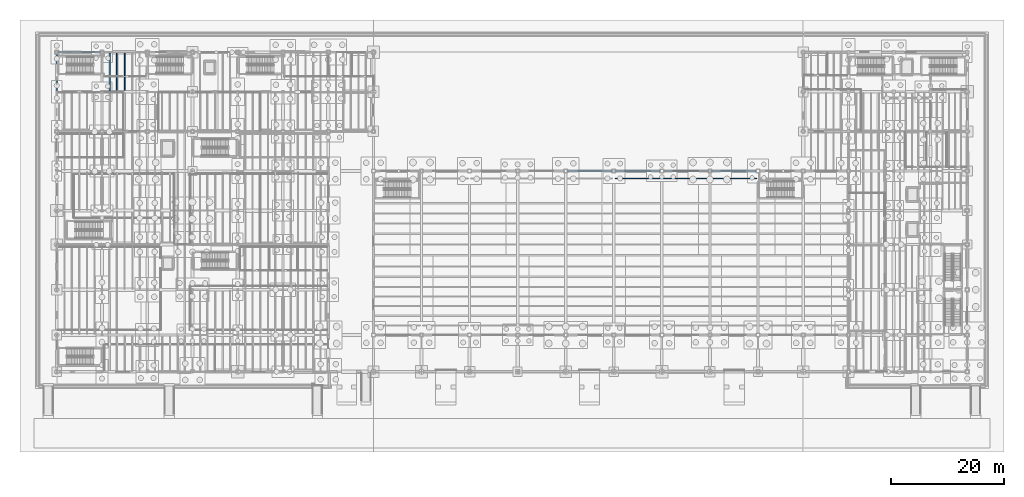
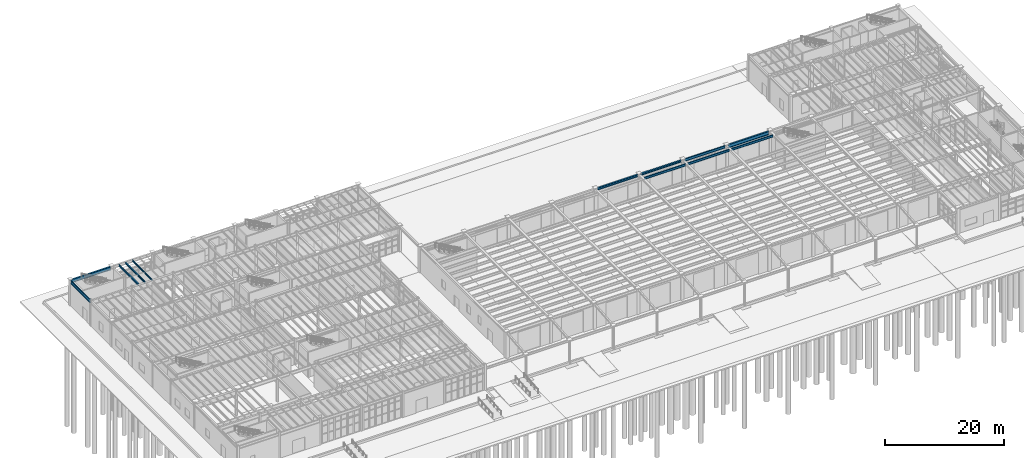
# One storey, part 32 of 86: 12 beams.
"""IFC4 building model written with IfcOpenShell, lengths in metres."""

from ifc_helpers import new_model, si_unit, direction, frame, origin, origin_2d, place, context, subcontext, project, spatial, i_section, extrude, material, material_profile, profile_set, type_object, element, save


model = new_model("IFC4")

# Units and contexts
model_context = context("Model", 3, precision=1e-05, world=origin(), true_north=direction((0.0, 1.0)))
body_context = subcontext(model_context, "Body", "Model", "MODEL_VIEW")
ifc_project = project(units=[si_unit("LENGTHUNIT", "METRE"), si_unit("AREAUNIT", "SQUARE_METRE"), si_unit("VOLUMEUNIT", "CUBIC_METRE"), si_unit("PLANEANGLEUNIT", "RADIAN"), si_unit("MASSUNIT", "GRAM", prefix="KILO"), si_unit("THERMODYNAMICTEMPERATUREUNIT", "KELVIN"), si_unit("POWERUNIT", "WATT")], contexts=[model_context])

# Site, building, storey
site_placement = place(None, origin())
site = spatial("IfcSite", under=ifc_project, at=site_placement, CompositionType="ELEMENT")
building_placement = place(site_placement, origin())
building = spatial("IfcBuilding", under=site, at=building_placement, Name="Zhenchuan Central Fire Station", CompositionType="ELEMENT")
storey_placement = place(building_placement, frame((0.0, 0.0, 0.449951171875)))
storey = spatial("IfcBuildingStorey", under=building, at=storey_placement, Name="L01", CompositionType="ELEMENT", Elevation=0.449951171875)

# Beams
ifc_material = material(Name="Steel Q355B", Category="steel")
ifc_material_profile_1 = material_profile(ifc_material, i_section(OverallWidth=0.300048828125, OverallDepth=0.389892578125, WebThickness=0.010009765625, FlangeThickness=0.01611328125, FilletRadius=0.02001953125, at=origin_2d()), Name="HM 390x300")
ifc_profile_set_1 = profile_set([ifc_material_profile_1], Name="Steel Q355B")
beam_type_1 = type_object("IfcBeamType", Name="BM-HM390-INT", PredefinedType="BEAM", material=ifc_profile_set_1)
beam_1_placement = place(storey_placement, frame((98.77490234375, 35.5, 5.005126953125), z_axis=(1.0, 0.0, 0.0), x_axis=(0.0, 1.0, 0.0)))
element("IfcBeam", 1, at=beam_1_placement, inside=storey, type_object=beam_type_1, Name="L02 Girder EW 0064", PredefinedType="BEAM", context=body_context, shape_type="SweptSolid", body=[
    extrude(i_section(OverallWidth=0.300048828125, OverallDepth=0.389892578125, WebThickness=0.010009765625, FlangeThickness=0.01611328125, FilletRadius=0.02001953125, at=origin_2d()), origin(), (0.0, 0.0, 1.0), 7.900146484375),
])
ifc_material_profile_2 = material_profile(ifc_material, i_section(OverallWidth=0.300048828125, OverallDepth=0.43994140625, WebThickness=0.010986328125, FlangeThickness=0.01806640625, FilletRadius=0.02197265625, at=origin_2d()), Name="HM 440x300")
ifc_profile_set_2 = profile_set([ifc_material_profile_2], Name="Steel Q355B")
beam_type_2 = type_object("IfcBeamType", Name="BM-HM440-INT", PredefinedType="BEAM", material=ifc_profile_set_2)
beam_2_placement = place(storey_placement, frame((90.324951171875, 35.5, 4.97998046875), z_axis=(1.0, 0.0, 0.0), x_axis=(0.0, 1.0, 0.0)))
element("IfcBeam", 2, at=beam_2_placement, inside=storey, type_object=beam_type_2, Name="L02 Girder EW 0063", PredefinedType="BEAM", context=body_context, shape_type="SweptSolid", body=[
    extrude(i_section(OverallWidth=0.300048828125, OverallDepth=0.43994140625, WebThickness=0.010986328125, FlangeThickness=0.01806640625, FilletRadius=0.02197265625, at=origin_2d()), origin(), (0.0, 0.0, 1.0), 7.900146484375),
])
ifc_material_profile_3 = material_profile(ifc_material, i_section(OverallWidth=0.199951171875, OverallDepth=0.449951171875, WebThickness=0.009033203125, FlangeThickness=0.013916015625, FilletRadius=0.01806640625, at=origin_2d()), Name="HN 450x200")
ifc_profile_set_3 = profile_set([ifc_material_profile_3], Name="Steel Q355B")
beam_type_3 = type_object("IfcBeamType", Name="BM-HN450", PredefinedType="BEAM", material=ifc_profile_set_3)
for number, where, z_axis, x_axis, name in (
    (3, (98.697021484375, 34.199951171875, 4.97509765625), (1.0, 0.0, 0.0), (0.0, 1.0, 0.0), "Appliance Hall Secondary Floor Joist 0914"),
    (4, (107.197021484375, 34.199951171875, 4.97509765625), (1.0, 0.0, 0.0), (0.0, 1.0, 0.0), "Appliance Hall Secondary Floor Joist 0928"),
    (5, (115.697021484375, 34.199951171875, 4.97509765625), (1.0, 0.0, 0.0), (0.0, 1.0, 0.0), "Appliance Hall Secondary Floor Joist 0942"),
):
    element("IfcBeam", number, at=place(storey_placement, frame(where, z_axis=z_axis, x_axis=x_axis)), inside=storey, type_object=beam_type_3, Name=name, PredefinedType="BEAM", context=body_context, shape_type="SweptSolid", body=[
        extrude(i_section(OverallWidth=0.199951171875, OverallDepth=0.449951171875, WebThickness=0.009033203125, FlangeThickness=0.013916015625, FilletRadius=0.01806640625, at=origin_2d()), origin(), (0.0, 0.0, 1.0), 8.10595703125),
    ])
ifc_material_profile_4 = material_profile(ifc_material, i_section(OverallWidth=0.199951171875, OverallDepth=0.64990234375, WebThickness=0.011962890625, FlangeThickness=0.02001953125, FilletRadius=0.02197265625, at=origin_2d()), Name="HN 650x200")
ifc_profile_set_4 = profile_set([ifc_material_profile_4], Name="Steel Q355B")
beam_type_4 = type_object("IfcBeamType", Name="BM-HN650-EXT", PredefinedType="BEAM", material=ifc_profile_set_4)
beam_3_placement = place(storey_placement, frame((0.0, 49.699951171875, 4.875), z_axis=(0.0, 1.0, 0.0), x_axis=(-1.0, 0.0, 0.0)))
element("IfcBeam", 6, at=beam_3_placement, inside=storey, type_object=beam_type_4, Name="L02 Girder NS 0111", PredefinedType="BEAM", context=body_context, shape_type="SweptSolid", body=[
    extrude(i_section(OverallWidth=0.199951171875, OverallDepth=0.64990234375, WebThickness=0.011962890625, FlangeThickness=0.02001953125, FilletRadius=0.02197265625, at=origin_2d()), origin(), (0.0, 0.0, 1.0), 6.574951171875),
])
ifc_material_profile_5 = material_profile(ifc_material, i_section(OverallWidth=0.300048828125, OverallDepth=0.699951171875, WebThickness=0.012939453125, FlangeThickness=0.02392578125, FilletRadius=0.02392578125, at=origin_2d()), Name="HN 700x300")
ifc_profile_set_5 = profile_set([ifc_material_profile_5], Name="Steel Q355B")
beam_type_5 = type_object("IfcBeamType", Name="BM-HN700", PredefinedType="BEAM", material=ifc_profile_set_5)
beam_4_placement = place(storey_placement, frame((115.77490234375, 35.5, 4.85009765625), z_axis=(1.0, 0.0, 0.0), x_axis=(0.0, 1.0, 0.0)))
element("IfcBeam", 7, at=beam_4_placement, inside=storey, type_object=beam_type_5, Name="L02 Girder EW 0066", PredefinedType="BEAM", context=body_context, shape_type="SweptSolid", body=[
    extrude(i_section(OverallWidth=0.300048828125, OverallDepth=0.699951171875, WebThickness=0.012939453125, FlangeThickness=0.02392578125, FilletRadius=0.02392578125, at=origin_2d()), origin(), (0.0, 0.0, 1.0), 7.900146484375),
])
ifc_material_profile_6 = material_profile(ifc_material, i_section(OverallWidth=0.300048828125, OverallDepth=0.699951171875, WebThickness=0.012939453125, FlangeThickness=0.02392578125, FilletRadius=0.02392578125, at=origin_2d()), Name="HN 700x300")
ifc_profile_set_6 = profile_set([ifc_material_profile_6], Name="Steel Q355B")
beam_type_6 = type_object("IfcBeamType", Name="BM-HN700-EXT", PredefinedType="BEAM", material=ifc_profile_set_6)
beam_5_placement = place(storey_placement, frame((0.22509765625, 56.5, 4.85009765625), z_axis=(1.0, 0.0, 0.0), x_axis=(0.0, 1.0, 0.0)))
element("IfcBeam", 8, at=beam_5_placement, inside=storey, type_object=beam_type_6, Name="L02 Girder EW 0094", PredefinedType="BEAM", context=body_context, shape_type="SweptSolid", body=[
    extrude(i_section(OverallWidth=0.300048828125, OverallDepth=0.699951171875, WebThickness=0.012939453125, FlangeThickness=0.02392578125, FilletRadius=0.02392578125, at=origin_2d()), origin(), (0.0, 0.0, 1.0), 7.5498046875),
])
ifc_material_profile_7 = material_profile(ifc_material, i_section(OverallWidth=0.14990234375, OverallDepth=0.300048828125, WebThickness=0.006591796875, FlangeThickness=0.009033203125, FilletRadius=0.012939453125, at=origin_2d()), Name="HN 300x150")
ifc_profile_set_7 = profile_set([ifc_material_profile_7], Name="Steel Q355B")
beam_type_7 = type_object("IfcBeamType", Name="JS-HN300", PredefinedType="JOIST", material=ifc_profile_set_7)
beam_6_placement = place(storey_placement, frame((12.0, 49.68701171875, 5.050048828125), z_axis=(0.0, 1.0, 0.0), x_axis=(-1.0, 0.0, 0.0)))
element("IfcBeam", 9, at=beam_6_placement, inside=storey, type_object=beam_type_7, Name="L02 Secondary Joist 0276", PredefinedType="JOIST", context=body_context, shape_type="SweptSolid", body=[
    extrude(i_section(OverallWidth=0.14990234375, OverallDepth=0.300048828125, WebThickness=0.006591796875, FlangeThickness=0.009033203125, FilletRadius=0.012939453125, at=origin_2d()), origin(), (0.0, 0.0, 1.0), 6.666015625),
])
ifc_material_profile_8 = material_profile(ifc_material, i_section(OverallWidth=0.175048828125, OverallDepth=0.35009765625, WebThickness=0.007080078125, FlangeThickness=0.010986328125, FilletRadius=0.013916015625, at=origin_2d()), Name="HN 350x175")
ifc_profile_set_8 = profile_set([ifc_material_profile_8], Name="Steel Q355B")
beam_type_8 = type_object("IfcBeamType", Name="JS-HN350", PredefinedType="JOIST", material=ifc_profile_set_8)
beam_7_placement = place(storey_placement, frame((10.639892578125, 49.68701171875, 5.025146484375), z_axis=(0.0, 1.0, 0.0), x_axis=(-1.0, 0.0, 0.0)))
element("IfcBeam", 10, at=beam_7_placement, inside=storey, type_object=beam_type_8, Name="L02 Secondary Joist 0275", PredefinedType="JOIST", context=body_context, shape_type="SweptSolid", body=[
    extrude(i_section(OverallWidth=0.175048828125, OverallDepth=0.35009765625, WebThickness=0.007080078125, FlangeThickness=0.010986328125, FilletRadius=0.013916015625, at=origin_2d()), origin(), (0.0, 0.0, 1.0), 6.666015625),
])
ifc_material_profile_9 = material_profile(ifc_material, i_section(OverallWidth=0.199951171875, OverallDepth=0.39990234375, WebThickness=0.008056640625, FlangeThickness=0.012939453125, FilletRadius=0.01611328125, at=origin_2d()), Name="HN 400x200")
ifc_profile_set_9 = profile_set([ifc_material_profile_9], Name="Steel Q355B")
beam_type_9 = type_object("IfcBeamType", Name="JS-HN400", PredefinedType="JOIST", material=ifc_profile_set_9)
beam_8_placement = place(storey_placement, frame((9.360107421875, 49.68701171875, 5.0), z_axis=(0.0, 1.0, 0.0), x_axis=(-1.0, 0.0, 0.0)))
element("IfcBeam", 11, at=beam_8_placement, inside=storey, type_object=beam_type_9, Name="L02 Secondary Joist 0274", PredefinedType="JOIST", context=body_context, shape_type="SweptSolid", body=[
    extrude(i_section(OverallWidth=0.199951171875, OverallDepth=0.39990234375, WebThickness=0.008056640625, FlangeThickness=0.012939453125, FilletRadius=0.01611328125, at=origin_2d()), origin(), (0.0, 0.0, 1.0), 6.666015625),
])
ifc_material_profile_10 = material_profile(ifc_material, i_section(OverallWidth=0.199951171875, OverallDepth=0.5, WebThickness=0.010009765625, FlangeThickness=0.01611328125, FilletRadius=0.02001953125, at=origin_2d()), Name="HN 500x200")
ifc_profile_set_10 = profile_set([ifc_material_profile_10], Name="Steel Q355B")
beam_type_10 = type_object("IfcBeamType", Name="SP-HN500-INT", PredefinedType="SPANDREL", material=ifc_profile_set_10)
beam_9_placement = place(storey_placement, frame((107.324951171875, 35.5, 4.949951171875), z_axis=(1.0, 0.0, 0.0), x_axis=(0.0, 1.0, 0.0)))
element("IfcBeam", 12, at=beam_9_placement, inside=storey, type_object=beam_type_10, Name="L02 Girder EW 0065", PredefinedType="SPANDREL", context=body_context, shape_type="SweptSolid", body=[
    extrude(i_section(OverallWidth=0.199951171875, OverallDepth=0.5, WebThickness=0.010009765625, FlangeThickness=0.01611328125, FilletRadius=0.02001953125, at=origin_2d()), origin(), (0.0, 0.0, 1.0), 7.900146484375),
])

save(model, "model.ifc")
